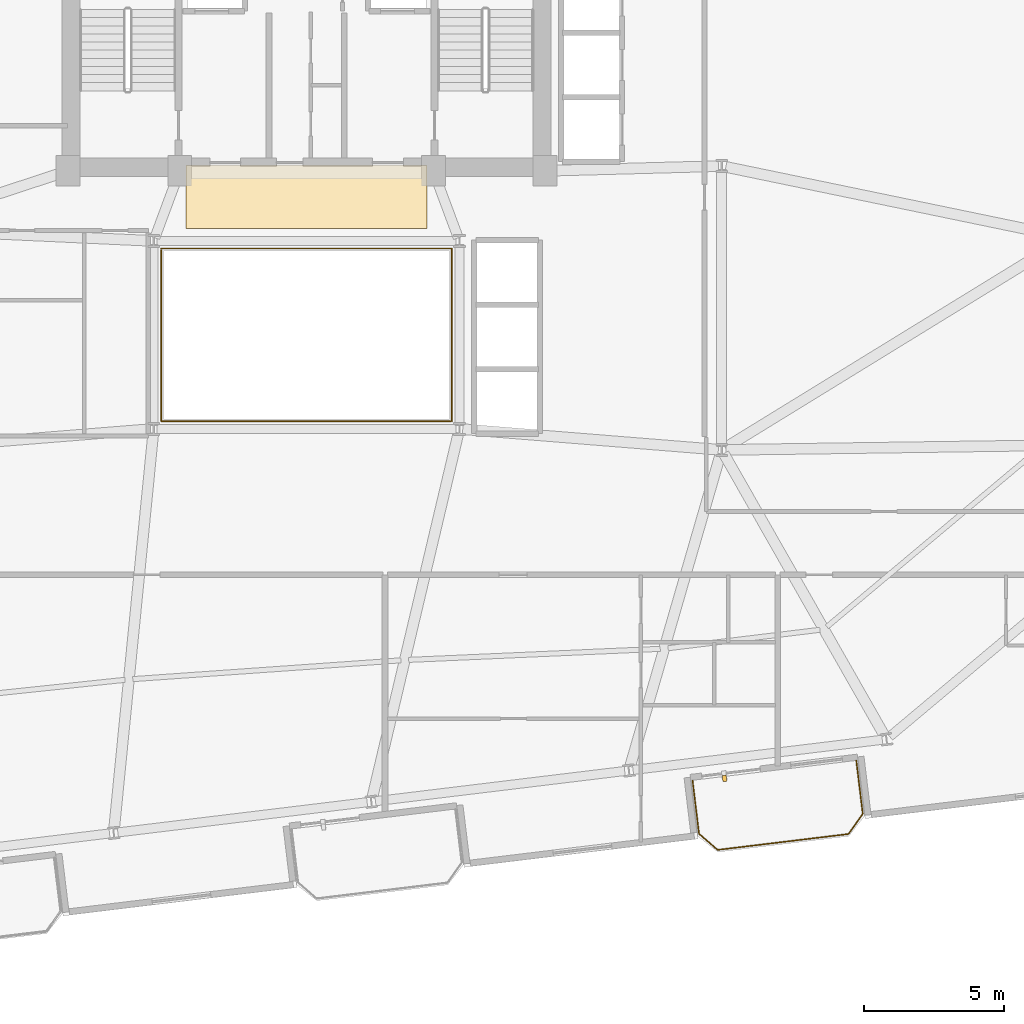
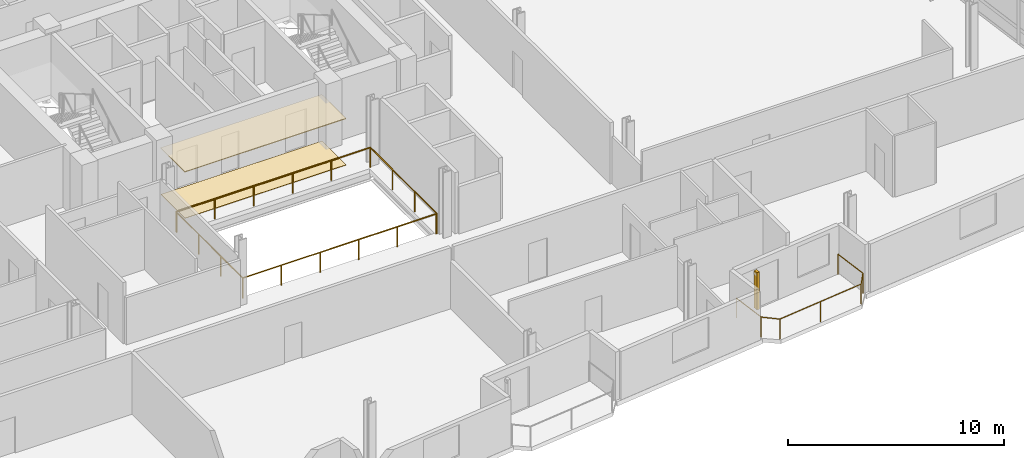
# One storey, part 20 of 22: 3 railings, 2 coverings, 1 shading device.
"""IFC4 building model written with IfcOpenShell, lengths in metres."""

from ifc_helpers import new_model, si_unit, direction, frame, origin, origin_2d, place, context, subcontext, project, spatial, rectangle, circle, extrude, source, transform, mapped, material, layer, layer_set, type_object, element, save


model = new_model("IFC4")

# Units and contexts
model_context = context("Model", 3, precision=1e-05, world=origin(), true_north=direction((0.0, 1.0)))
body_context = subcontext(model_context, "Body", "Model", "MODEL_VIEW")
ifc_project = project(units=[si_unit("LENGTHUNIT", "METRE"), si_unit("AREAUNIT", "SQUARE_METRE"), si_unit("VOLUMEUNIT", "CUBIC_METRE"), si_unit("PLANEANGLEUNIT", "RADIAN"), si_unit("MASSUNIT", "GRAM", prefix="KILO")], contexts=[model_context])

# Site, building, storey
site_placement = place(None, origin())
site = spatial("IfcSite", under=ifc_project, at=site_placement, CompositionType="ELEMENT")
building_placement = place(site_placement, origin())
building = spatial("IfcBuilding", under=site, at=building_placement, Name="Varnelok Gate Tower", CompositionType="ELEMENT")
storey_placement = place(building_placement, frame((0.0, 0.0, 185.699951171875)))
storey = spatial("IfcBuildingStorey", under=building, at=storey_placement, Name="L47", CompositionType="ELEMENT", Elevation=185.699951171875)

# Railings
ifc_material_1 = material(Name="Tempered Laminated Balustrade Glass", Category="glass")
railing_type_1 = type_object("IfcRailingType", Name="RL-ATR-GUARD1150", PredefinedType="GUARDRAIL", material=ifc_material_1)
railing_1_placement = place(storey_placement, frame((34.02001953125, 25.929931640625, 0.0)))
element("IfcRailing", 1, at=railing_1_placement, inside=storey, type_object=railing_type_1, Name="L47 Internal Atrium South-West Guardrail", PredefinedType="GUARDRAIL", context=body_context, shape_type="SweptSolid", body=[
    extrude(circle(Radius=0.02392578125, at=origin_2d()), frame((0.0, 0.0, 1.1259765625), z_axis=(0.0, -1.0, 0.0), x_axis=(1.0, 0.0, 0.0)), (0.0, 0.0, 1.0), 6.10986328125),
    extrude(circle(Radius=0.02392578125, at=origin_2d()), frame((0.0, -6.10986328125, 1.1259765625), z_axis=(1.0, 0.0, 0.0), x_axis=(0.0, 1.0, 0.0)), (0.0, 0.0, 1.0), 10.31005859375),
    extrude(circle(Radius=0.02099609375, at=origin_2d()), origin(), (0.0, 0.0, 1.0), 1.101806640625),
    extrude(circle(Radius=0.02099609375, at=origin_2d()), frame((0.0, -2.03662109375, 0.0)), (0.0, 0.0, 1.0), 1.101806640625),
    extrude(circle(Radius=0.02099609375, at=origin_2d()), frame((0.0, -4.0732421875, 0.0)), (0.0, 0.0, 1.0), 1.101806640625),
    extrude(circle(Radius=0.02099609375, at=origin_2d()), frame((0.0, -6.10986328125, 0.0)), (0.0, 0.0, 1.0), 1.101806640625),
    extrude(circle(Radius=0.02099609375, at=origin_2d()), frame((2.06201171875, -6.10986328125, 0.0)), (0.0, 0.0, 1.0), 1.101806640625),
    extrude(circle(Radius=0.02099609375, at=origin_2d()), frame((4.1240234375, -6.10986328125, 0.0)), (0.0, 0.0, 1.0), 1.101806640625),
    extrude(circle(Radius=0.02099609375, at=origin_2d()), frame((6.18603515625, -6.10986328125, 0.0)), (0.0, 0.0, 1.0), 1.101806640625),
    extrude(circle(Radius=0.02099609375, at=origin_2d()), frame((8.248046875, -6.10986328125, 0.0)), (0.0, 0.0, 1.0), 1.101806640625),
    extrude(circle(Radius=0.02099609375, at=origin_2d()), frame((10.31005859375, -6.10986328125, 0.0)), (0.0, 0.0, 1.0), 1.101806640625),
])
railing_2_placement = place(storey_placement, frame((44.3798828125, 19.820068359375, 0.0)))
element("IfcRailing", 2, at=railing_2_placement, inside=storey, type_object=railing_type_1, Name="L47 Internal Atrium North-East Guardrail", PredefinedType="GUARDRAIL", context=body_context, shape_type="SweptSolid", body=[
    extrude(circle(Radius=0.02392578125, at=origin_2d()), frame((0.0, 0.0, 1.1259765625), z_axis=(0.0, 1.0, 0.0), x_axis=(-1.0, 0.0, 0.0)), (0.0, 0.0, 1.0), 6.159912109375),
    extrude(circle(Radius=0.02392578125, at=origin_2d()), frame((0.0, 6.159912109375, 1.1259765625), z_axis=(-1.0, 0.0, 0.0), x_axis=(0.0, -1.0, 0.0)), (0.0, 0.0, 1.0), 10.35986328125),
    extrude(circle(Radius=0.02099609375, at=origin_2d()), origin(), (0.0, 0.0, 1.0), 1.101806640625),
    extrude(circle(Radius=0.02099609375, at=origin_2d()), frame((0.0, 2.05322265625, 0.0)), (0.0, 0.0, 1.0), 1.101806640625),
    extrude(circle(Radius=0.02099609375, at=origin_2d()), frame((0.0, 4.106689453125, 0.0)), (0.0, 0.0, 1.0), 1.101806640625),
    extrude(circle(Radius=0.02099609375, at=origin_2d()), frame((0.0, 6.159912109375, 0.0)), (0.0, 0.0, 1.0), 1.101806640625),
    extrude(circle(Radius=0.02099609375, at=origin_2d()), frame((-2.072021484375, 6.159912109375, 0.0)), (0.0, 0.0, 1.0), 1.101806640625),
    extrude(circle(Radius=0.02099609375, at=origin_2d()), frame((-4.14404296875, 6.159912109375, 0.0)), (0.0, 0.0, 1.0), 1.101806640625),
    extrude(circle(Radius=0.02099609375, at=origin_2d()), frame((-6.2158203125, 6.159912109375, 0.0)), (0.0, 0.0, 1.0), 1.101806640625),
    extrude(circle(Radius=0.02099609375, at=origin_2d()), frame((-8.287841796875, 6.159912109375, 0.0)), (0.0, 0.0, 1.0), 1.101806640625),
    extrude(circle(Radius=0.02099609375, at=origin_2d()), frame((-10.35986328125, 6.159912109375, 0.0)), (0.0, 0.0, 1.0), 1.101806640625),
])
ifc_material_2 = material(Name="Low-E Laminated Double Glazing IGU", Category="glass")
railing_type_2 = type_object("IfcRailingType", Name="RL-BALC-1150", PredefinedType="BALUSTRADE", material=ifc_material_2)
railing_3_placement = place(storey_placement, frame((52.95947265625, 7.023193359375, 0.0)))
element("IfcRailing", 3, at=railing_3_placement, inside=storey, type_object=railing_type_2, Name="L47 South Terrace Balustrade 3", PredefinedType="BALUSTRADE", context=body_context, shape_type="SweptSolid", body=[
    extrude(circle(Radius=0.02392578125, at=origin_2d()), frame((0.0, 0.0, 1.1259765625), z_axis=(0.12040351024, -0.992725034802, 0.0), x_axis=(0.992725034802, 0.12040351024, 0.0)), (0.0, 0.0, 1.0), 1.920166015625),
    extrude(circle(Radius=0.02392578125, at=origin_2d()), frame((0.231201171875, -1.90625, 1.1259765625), z_axis=(0.756303655992, -0.654220742513, 0.0), x_axis=(0.654220742513, 0.756303655992, 0.0)), (0.0, 0.0, 1.0), 0.877685546875),
    extrude(circle(Radius=0.02392578125, at=origin_2d()), frame((0.89501953125, -2.48046875, 1.1259765625), z_axis=(0.99273133746, 0.120351533534, 0.0), x_axis=(-0.120351533534, 0.99273133746, 0.0)), (0.0, 0.0, 1.0), 4.7001953125),
    extrude(circle(Radius=0.02392578125, at=origin_2d()), frame((5.56103515625, -1.914794921875, 1.1259765625), z_axis=(0.577971037086, 0.816057277579, 0.0), x_axis=(-0.816057277579, 0.577971037086, 0.0)), (0.0, 0.0, 1.0), 0.877685546875),
    extrude(circle(Radius=0.02392578125, at=origin_2d()), frame((6.068359375, -1.198486328125, 1.1259765625), z_axis=(-0.120293392036, 0.992738384386, 0.0), x_axis=(-0.992738384386, -0.120293392036, 0.0)), (0.0, 0.0, 1.0), 1.919921875),
    extrude(circle(Radius=0.02099609375, at=origin_2d()), origin(), (0.0, 0.0, 1.0), 1.101806640625),
    extrude(circle(Radius=0.02099609375, at=origin_2d()), frame((0.231201171875, -1.90625, 0.0)), (0.0, 0.0, 1.0), 1.101806640625),
    extrude(circle(Radius=0.02099609375, at=origin_2d()), frame((0.89501953125, -2.48046875, 0.0)), (0.0, 0.0, 1.0), 1.101806640625),
    extrude(circle(Radius=0.02099609375, at=origin_2d()), frame((3.22802734375, -2.19775390625, 0.0)), (0.0, 0.0, 1.0), 1.101806640625),
    extrude(circle(Radius=0.02099609375, at=origin_2d()), frame((5.56103515625, -1.914794921875, 0.0)), (0.0, 0.0, 1.0), 1.101806640625),
    extrude(circle(Radius=0.02099609375, at=origin_2d()), frame((6.068359375, -1.198486328125, 0.0)), (0.0, 0.0, 1.0), 1.101806640625),
    extrude(circle(Radius=0.02099609375, at=origin_2d()), frame((5.83740234375, 0.70751953125, 0.0)), (0.0, 0.0, 1.0), 1.101806640625),
])

# Shading device
ifc_material_3 = material(Name="Glazed Architectural Terracotta Ceramic", Category="masonry")
shading_device_type = type_object("IfcShadingDeviceType", Name="SHD-TERRA-FIN", PredefinedType="USERDEFINED", material=ifc_material_3)
shared_shape_1 = source(origin(), body_context, "Body", "SweptSolid", [
    extrude(rectangle(XDim=0.139892578125, YDim=0.219970703125, at=origin_2d()), origin(), (0.0, 0.0, 1.0), 2.10009765625),
])
shading_device_placement = place(storey_placement, frame((54.099609375, 7.0908203125, 0.10009765625), z_axis=(0.0, 0.0, 1.0), x_axis=(0.992732158755, 0.12034475881, 0.0)))
element("IfcShadingDevice", 4, at=shading_device_placement, inside=storey, type_object=shading_device_type, Name="L47 Terracotta Ceramic Baguette Sunscreen 3.1", ObjectType="BAGUETTE", PredefinedType="USERDEFINED", context=body_context, shape_type="MappedRepresentation", body=[
    mapped(shared_shape_1, transform((0.0, 0.0, 0.0), scale=1.0)),
])

# Coverings
ifc_material_4 = material(Name="Honed Travertine Stone Flooring", Category="masonry")
ifc_layer_1 = layer(ifc_material_4, 0.02490234375)
ifc_layer_set_1 = layer_set([ifc_layer_1], Name="Honed Travertine Stone Flooring")
covering_type_1 = type_object("IfcCoveringType", Name="COV-FLOR-STONE", PredefinedType="FLOORING", material=ifc_layer_set_1)
shared_shape_2 = source(origin(), body_context, "Body", "SweptSolid", [
    extrude(rectangle(XDim=8.60009765625, YDim=2.219970703125, at=origin_2d()), origin(), (0.0, 0.0, 1.0), 0.02490234375),
])
covering_1_placement = place(storey_placement, frame((39.199951171875, 27.800048828125, 0.0), z_axis=(0.0, 0.0, 1.0), x_axis=(1.0, 0.0, 0.0)))
element("IfcCovering", 5, at=covering_1_placement, inside=storey, type_object=covering_type_1, Name="L47 Core Gallery Stone Flooring", PredefinedType="FLOORING", context=body_context, shape_type="MappedRepresentation", body=[
    mapped(shared_shape_2, transform((0.0, 0.0, 0.0), scale=1.0)),
])
ifc_material_5 = material(Name="Mineral Fiber Acoustic Ceiling Tile")
ifc_layer_2 = layer(ifc_material_5, 0.0400390625)
ifc_layer_set_2 = layer_set([ifc_layer_2], Name="Mineral Fiber Acoustic Ceiling Tile")
covering_type_2 = type_object("IfcCoveringType", Name="COV-CEIL-ACOUST", PredefinedType="CEILING", material=ifc_layer_set_2)
shared_shape_3 = source(origin(), body_context, "Body", "SweptSolid", [
    extrude(rectangle(XDim=8.60009765625, YDim=2.239990234375, at=origin_2d()), origin(), (0.0, 0.0, 1.0), 0.0400390625),
])
covering_2_placement = place(storey_placement, frame((39.199951171875, 27.820068359375, 2.60009765625), z_axis=(0.0, 0.0, 1.0), x_axis=(1.0, 0.0, 0.0)))
element("IfcCovering", 6, at=covering_2_placement, inside=storey, type_object=covering_type_2, Name="L47 Core Gallery Acoustic Ceiling", PredefinedType="CEILING", context=body_context, shape_type="MappedRepresentation", body=[
    mapped(shared_shape_3, transform((0.0, 0.0, 0.0), scale=1.0)),
])

save(model, "model.ifc")
